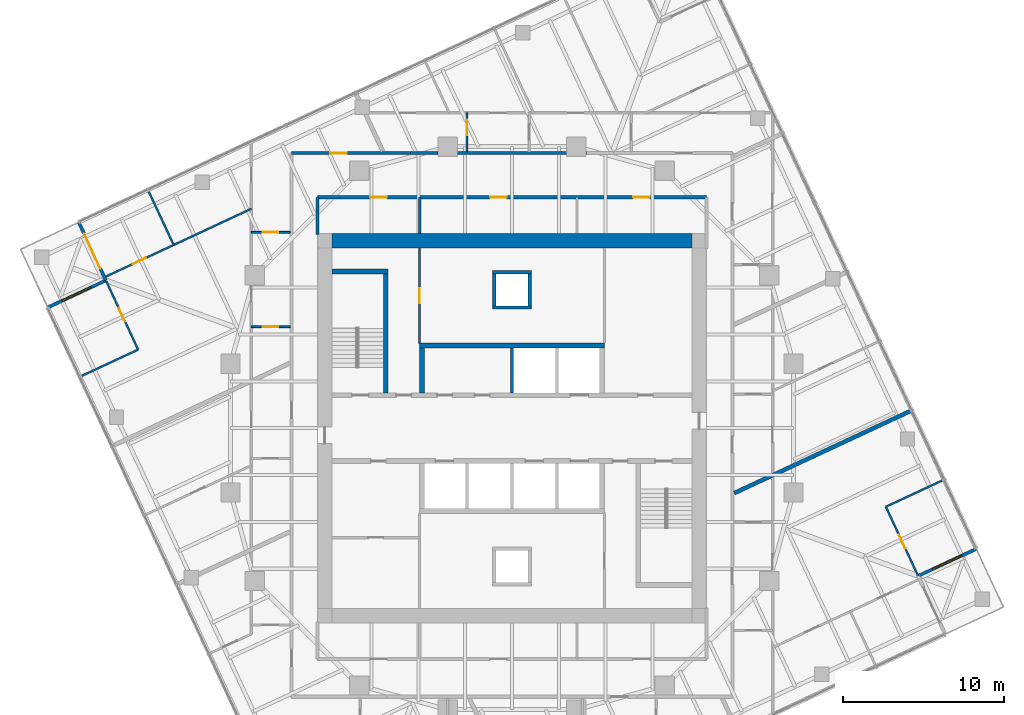
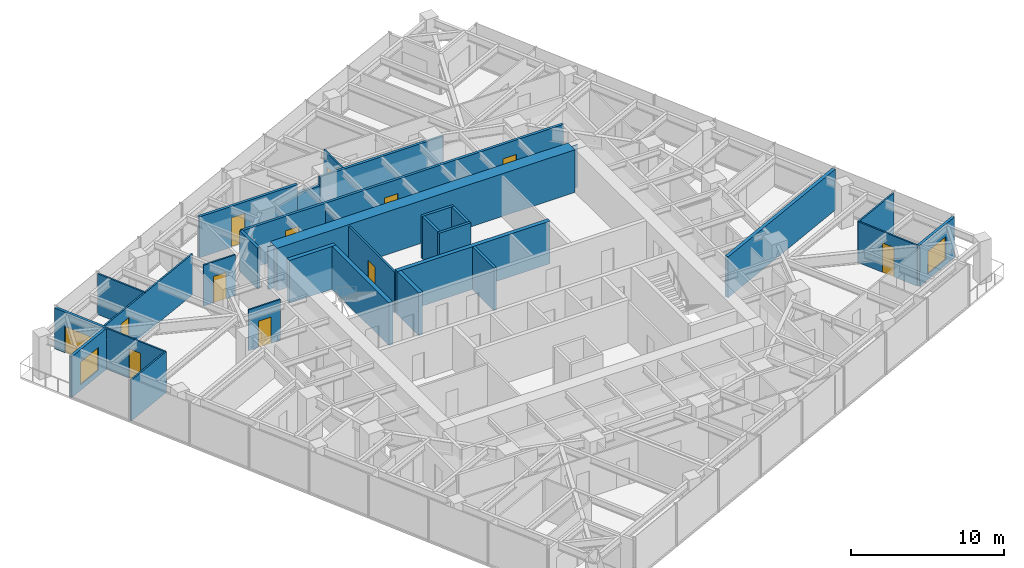
# One storey, part 10 of 12: 30 walls, 12 doors, 2 windows, 14 openings.
"""IFC4 building model written with IfcOpenShell, lengths in metres."""

from ifc_helpers import new_model, si_unit, direction, frame, frame_2d, origin, place, context, subcontext, project, spatial, polyline, rectangle, outline, extrude, material, layer, layer_set, type_object, element, fill, save


model = new_model("IFC4")

# Units and contexts
model_context = context("Model", 3, precision=1e-05, world=origin(), true_north=direction((0.0, 1.0)))
body_context = subcontext(model_context, "Body", "Model", "MODEL_VIEW")
ifc_project = project(units=[si_unit("LENGTHUNIT", "METRE"), si_unit("AREAUNIT", "SQUARE_METRE"), si_unit("VOLUMEUNIT", "CUBIC_METRE"), si_unit("PLANEANGLEUNIT", "RADIAN"), si_unit("MASSUNIT", "GRAM", prefix="KILO")], contexts=[model_context])

# Site, building, storey
site_placement = place(None, origin())
site = spatial("IfcSite", under=ifc_project, at=site_placement, CompositionType="ELEMENT")
building_placement = place(site_placement, origin())
building = spatial("IfcBuilding", under=site, at=building_placement, Name="Torsade Residences", CompositionType="ELEMENT")
storey_placement = place(building_placement, frame((0.0, 0.0, 186.199951171875)))
storey = spatial("IfcBuildingStorey", under=building, at=storey_placement, Name="L51", CompositionType="ELEMENT", Elevation=186.199951171875)

# Walls
ifc_material_1 = material(Name="Concrete 80 MPa", Category="concrete")
ifc_layer_1 = layer(ifc_material_1, 0.300048828125)
ifc_layer_set_1 = layer_set([ifc_layer_1], Name="Concrete 80 MPa")
wall_type_1 = type_object("IfcWallType", Name="CORE INTERNAL WALL 300", PredefinedType="SHEAR", material=ifc_layer_set_1)
wall_1_placement = place(storey_placement, frame((34.25, 35.14990234375, 0.0), z_axis=(0.0, 0.0, 1.0), x_axis=(1.0, 0.0, 0.0)))
element("IfcWall", 1, at=wall_1_placement, inside=storey, type_object=wall_type_1, Name="Core wall BN L51", PredefinedType="SHEAR", context=body_context, shape_type="SweptSolid", body=[
    extrude(rectangle(XDim=11.5, YDim=0.300048828125, at=frame_2d((5.75, 0.0))), origin(), (0.0, 0.0, 1.0), 3.400146484375),
])
wall_2_placement = place(storey_placement, frame((34.39990234375, 32.199951171875, 0.0), z_axis=(0.0, 0.0, 1.0), x_axis=(0.0, 1.0, 0.0)))
element("IfcWall", 2, at=wall_2_placement, inside=storey, type_object=wall_type_1, Name="Core wall DN0 L51", PredefinedType="SHEAR", context=body_context, shape_type="SweptSolid", body=[
    extrude(rectangle(XDim=2.800048828125, YDim=0.300048828125, at=frame_2d((1.39990234375, 0.0))), origin(), (0.0, 0.0, 1.0), 3.400146484375),
])
wall_3_placement = place(storey_placement, frame((32.14990234375, 32.199951171875, 0.0), z_axis=(0.0, 0.0, 1.0), x_axis=(0.0, 1.0, 0.0)))
element("IfcWall", 3, at=wall_3_placement, inside=storey, type_object=wall_type_1, Name="Core wall ST1E L51", PredefinedType="SHEAR", context=body_context, shape_type="SweptSolid", body=[
    extrude(rectangle(XDim=7.699951171875, YDim=0.300048828125, at=frame_2d((3.85009765625, 0.0))), origin(), (0.0, 0.0, 1.0), 3.400146484375),
])
wall_4_placement = place(storey_placement, frame((28.800048828125, 39.75, 0.0), z_axis=(0.0, 0.0, 1.0), x_axis=(1.0, 0.0, 0.0)))
element("IfcWall", 4, at=wall_4_placement, inside=storey, type_object=wall_type_1, Name="Core wall ST1N L51", PredefinedType="SHEAR", context=body_context, shape_type="SweptSolid", body=[
    extrude(rectangle(XDim=3.5, YDim=0.300048828125, at=frame_2d((1.75, 0.0))), origin(), (0.0, 0.0, 1.0), 3.400146484375),
])
ifc_material_2 = material(Name="Concrete 80 MPa", Category="concrete")
ifc_layer_2 = layer(ifc_material_2, 0.89990234375)
ifc_layer_set_2 = layer_set([ifc_layer_2], Name="Concrete 80 MPa")
wall_type_2 = type_object("IfcWallType", Name="CORE WALL 900", PredefinedType="SHEAR", material=ifc_layer_set_2)
wall_5_placement = place(storey_placement, frame((28.800048828125, 41.64990234375, 0.0), z_axis=(0.0, 0.0, 1.0), x_axis=(1.0, 0.0, 0.0)))
element("IfcWall", 5, at=wall_5_placement, inside=storey, type_object=wall_type_2, Name="Core wall N L51", PredefinedType="SHEAR", context=body_context, shape_type="SweptSolid", body=[
    extrude(outline(polyline([(0.0, -0.449951171875), (22.39990234375, -0.449951171875), (22.39990234375, -0.02490234375), (22.849853515625, -0.02490234375), (22.849853515625, 0.02490234375), (22.39990234375, 0.02490234375), (22.39990234375, 0.449951171875), (0.0, 0.449951171875), (0.0, 0.02490234375), (-0.449951171875, 0.02490234375), (-0.449951171875, -0.02490234375), (0.0, -0.02490234375), (0.0, -0.449951171875)])), origin(), (0.0, 0.0, 1.0), 3.400146484375),
])
ifc_material_3 = material(Name="Plasterboard on steel stud", Category="steel")
ifc_layer_3 = layer(ifc_material_3, 0.199951171875)
ifc_layer_set_3 = layer_set([ifc_layer_3], Name="Plasterboard on steel stud")
wall_type_3 = type_object("IfcWallType", Name="CORRIDOR WALL 200", PredefinedType="PARTITIONING", material=ifc_layer_set_3)
wall_6_placement = place(storey_placement, frame((44.625, 47.10009765625, 0.0), z_axis=(0.0, 0.0, 1.0), x_axis=(-1.0, 0.0, 0.0)))
element("IfcWall", 6, at=wall_6_placement, inside=storey, type_object=wall_type_3, Name="Corridor wall L51", PredefinedType="PARTITIONING", context=body_context, shape_type="SweptSolid", body=[
    extrude(rectangle(XDim=9.25, YDim=0.199951171875, at=frame_2d((4.625, 0.0))), origin(), (0.0, 0.0, 1.0), 3.25),
])
wall_7_placement = place(storey_placement, frame((35.375, 47.10009765625, 0.0), z_axis=(0.0, 0.0, 1.0), x_axis=(-1.0, 0.0, 0.0)))
element("IfcWall", 7, at=wall_7_placement, inside=storey, type_object=wall_type_3, Name="Corridor wall L51", PredefinedType="PARTITIONING", context=body_context, shape_type="SweptSolid", body=[
    extrude(rectangle(XDim=1.683349609375, YDim=0.199951171875, at=frame_2d((0.841796875, 0.0))), origin(), (0.0, 0.0, 1.0), 2.550048828125),
])

# Wall, opening, door
wall_8_placement = place(storey_placement, frame((33.691650390625, 47.10009765625, 0.0), z_axis=(0.0, 0.0, 1.0), x_axis=(-1.0, 0.0, 0.0)))
wall_8 = element("IfcWall", 8, at=wall_8_placement, inside=storey, type_object=wall_type_3, Name="Corridor wall L51", PredefinedType="PARTITIONING", context=body_context, shape_type="SweptSolid", body=[
    extrude(rectangle(XDim=7.3916015625, YDim=0.199951171875, at=frame_2d((3.69580078125, 0.0))), origin(), (0.0, 0.0, 1.0), 3.25),
])
opening_1_placement = place(wall_8_placement, frame((3.957275390625, 0.0, 0.0)))
opening_1 = element("IfcOpeningElement", 9, at=opening_1_placement, cuts=wall_8, Name="Opening D01", PredefinedType="OPENING", context=body_context, shape_type="SweptSolid", body=[
    extrude(rectangle(XDim=1.02001953125, YDim=2.340087890625, at=frame_2d((0.510009765625, 1.169921875))), frame((0.0, 0.10986328125, 0.0), z_axis=(0.0, -1.0, 0.0), x_axis=(1.0, 0.0, 0.0)), (0.0, 0.0, 1.0), 0.219970703125),
])
ifc_material_4 = material(Name="Solid-core timber fire door", Category="wood")
door_type_1 = type_object("IfcDoorType", Name="APARTMENT ENTRY DOOR 1020x2340", OperationType="NOTDEFINED", PredefinedType="DOOR", material=ifc_material_4)
door_1_placement = place(opening_1_placement, origin())
door_1 = element("IfcDoor", 10, at=door_1_placement, inside=storey, type_object=door_type_1, Name="Door Residential corridor to Kitchen and dining", OperationType="SINGLE_SWING_RIGHT", OverallHeight=2.340087890625, OverallWidth=1.02001953125, PredefinedType="DOOR", context=body_context, shape_type="SweptSolid", body=[
    extrude(rectangle(XDim=1.02001953125, YDim=2.340087890625, at=frame_2d((0.510009765625, 1.169921875))), frame((0.0, 0.02490234375, 0.0), z_axis=(0.0, -1.0, 0.0), x_axis=(1.0, 0.0, 0.0)), (0.0, 0.0, 1.0), 0.050048828125),
])
fill(opening_1, door_1)

# Wall, openings, doors
wall_9_placement = place(storey_placement, frame((52.10009765625, 44.35009765625, 0.0), z_axis=(0.0, 0.0, 1.0), x_axis=(-1.0, 0.0, 0.0)))
wall_9 = element("IfcWall", 11, at=wall_9_placement, inside=storey, type_object=wall_type_3, Name="Corridor wall L51", PredefinedType="PARTITIONING", context=body_context, shape_type="SweptSolid", body=[
    extrude(rectangle(XDim=24.2001953125, YDim=0.199951171875, at=frame_2d((12.10009765625, 0.0))), origin(), (0.0, 0.0, 1.0), 3.25),
])
opening_2_placement = place(wall_9_placement, frame((12.43701171875, 0.0, 0.0)))
opening_2 = element("IfcOpeningElement", 12, at=opening_2_placement, cuts=wall_9, Name="Opening D03", PredefinedType="OPENING", context=body_context, shape_type="SweptSolid", body=[
    extrude(rectangle(XDim=1.02001953125, YDim=2.10009765625, at=frame_2d((0.510009765625, 1.050048828125))), frame((0.0, 0.10986328125, 0.0), z_axis=(0.0, -1.0, 0.0), x_axis=(1.0, 0.0, 0.0)), (0.0, 0.0, 1.0), 0.219970703125),
])
opening_3_placement = place(wall_9_placement, frame((3.544189453125, 0.0, 0.0)))
opening_3 = element("IfcOpeningElement", 13, at=opening_3_placement, cuts=wall_9, Name="Opening D03", PredefinedType="OPENING", context=body_context, shape_type="SweptSolid", body=[
    extrude(rectangle(XDim=1.02001953125, YDim=2.10009765625, at=frame_2d((0.510009765625, 1.050048828125))), frame((0.0, 0.10986328125, 0.0), z_axis=(0.0, -1.0, 0.0), x_axis=(1.0, 0.0, 0.0)), (0.0, 0.0, 1.0), 0.219970703125),
])
opening_4_placement = place(wall_9_placement, frame((19.8828125, 0.0, 0.0)))
opening_4 = element("IfcOpeningElement", 14, at=opening_4_placement, cuts=wall_9, Name="Opening D03", PredefinedType="OPENING", context=body_context, shape_type="SweptSolid", body=[
    extrude(rectangle(XDim=1.02001953125, YDim=2.10009765625, at=frame_2d((0.510009765625, 1.050048828125))), frame((0.0, 0.10986328125, 0.0), z_axis=(0.0, -1.0, 0.0), x_axis=(1.0, 0.0, 0.0)), (0.0, 0.0, 1.0), 0.219970703125),
])
ifc_material_5 = material(Name="Steel-framed fire door", Category="steel")
door_type_2 = type_object("IfcDoorType", Name="FIRE DOOR 1020", OperationType="NOTDEFINED", PredefinedType="DOOR", material=ifc_material_5)
door_2_placement = place(opening_2_placement, origin())
door_2 = element("IfcDoor", 15, at=door_2_placement, inside=storey, type_object=door_type_2, Name="Door Residential corridor to Cleaner store", OperationType="SINGLE_SWING_LEFT", OverallHeight=2.10009765625, OverallWidth=1.02001953125, PredefinedType="DOOR", context=body_context, shape_type="SweptSolid", body=[
    extrude(rectangle(XDim=1.02001953125, YDim=2.10009765625, at=frame_2d((0.510009765625, 1.050048828125))), frame((0.0, 0.02490234375, 0.0), z_axis=(0.0, -1.0, 0.0), x_axis=(1.0, 0.0, 0.0)), (0.0, 0.0, 1.0), 0.050048828125),
])
fill(opening_2, door_2)
door_3_placement = place(opening_3_placement, origin())
door_3 = element("IfcDoor", 16, at=door_3_placement, inside=storey, type_object=door_type_2, Name="Door Residential corridor to Parcel room", OperationType="SINGLE_SWING_LEFT", OverallHeight=2.10009765625, OverallWidth=1.02001953125, PredefinedType="DOOR", context=body_context, shape_type="SweptSolid", body=[
    extrude(rectangle(XDim=1.02001953125, YDim=2.10009765625, at=frame_2d((0.510009765625, 1.050048828125))), frame((0.0, 0.02490234375, 0.0), z_axis=(0.0, -1.0, 0.0), x_axis=(1.0, 0.0, 0.0)), (0.0, 0.0, 1.0), 0.050048828125),
])
fill(opening_3, door_3)
door_4_placement = place(opening_4_placement, origin())
door_4 = element("IfcDoor", 17, at=door_4_placement, inside=storey, type_object=door_type_2, Name="Door Residential corridor to Residents storage", OperationType="SINGLE_SWING_LEFT", OverallHeight=2.10009765625, OverallWidth=1.02001953125, PredefinedType="DOOR", context=body_context, shape_type="SweptSolid", body=[
    extrude(rectangle(XDim=1.02001953125, YDim=2.10009765625, at=frame_2d((0.510009765625, 1.050048828125))), frame((0.0, 0.02490234375, 0.0), z_axis=(0.0, -1.0, 0.0), x_axis=(1.0, 0.0, 0.0)), (0.0, 0.0, 1.0), 0.050048828125),
])
fill(opening_4, door_4)

# Walls
wall_10_placement = place(storey_placement, frame((27.89990234375, 44.35009765625, 0.0), z_axis=(0.0, 0.0, 1.0), x_axis=(0.0, -1.0, 0.0)))
element("IfcWall", 18, at=wall_10_placement, inside=storey, type_object=wall_type_3, Name="Corridor wall L51", PredefinedType="PARTITIONING", context=body_context, shape_type="SweptSolid", body=[
    extrude(rectangle(XDim=2.300048828125, YDim=0.199951171875, at=frame_2d((1.14990234375, 0.0))), origin(), (0.0, 0.0, 1.0), 3.25),
])
ifc_material_6 = material(Name="Reinforced blockwork", Category="masonry")
ifc_layer_4 = layer(ifc_material_6, 0.199951171875)
ifc_layer_set_4 = layer_set([ifc_layer_4], Name="Reinforced blockwork")
wall_type_4 = type_object("IfcWallType", Name="LIFT SHAFT DIVIDING WALL 200", PredefinedType="SOLIDWALL", material=ifc_layer_set_4)
wall_11_placement = place(storey_placement, frame((40.0, 32.199951171875, 0.0), z_axis=(0.0, 0.0, 1.0), x_axis=(0.0, 1.0, 0.0)))
element("IfcWall", 19, at=wall_11_placement, inside=storey, type_object=wall_type_4, Name="Core wall DN2 L51", PredefinedType="SOLIDWALL", context=body_context, shape_type="SweptSolid", body=[
    extrude(rectangle(XDim=2.800048828125, YDim=0.199951171875, at=frame_2d((1.39990234375, 0.0))), origin(), (0.0, 0.0, 1.0), 3.400146484375),
])
ifc_material_7 = material(Name="Plasterboard on steel stud", Category="steel")
ifc_layer_5 = layer(ifc_material_7, 0.1201171875)
ifc_layer_set_5 = layer_set([ifc_layer_5], Name="Plasterboard on steel stud")
wall_type_5 = type_object("IfcWallType", Name="PARTITION 120", PredefinedType="PARTITIONING", material=ifc_layer_set_5)
wall_12_placement = place(storey_placement, frame((66.8310546875, 26.78857421875, 0.0), z_axis=(0.0, 0.0, 1.0), x_axis=(-0.906277619727, -0.422682949718, 0.0)))
element("IfcWall", 20, at=wall_12_placement, inside=storey, type_object=wall_type_5, Name="Partition L51", PredefinedType="PARTITIONING", context=body_context, shape_type="SweptSolid", body=[
    extrude(rectangle(XDim=3.9599609375, YDim=0.1201171875, at=frame_2d((1.97998046875, 0.0))), origin(), (0.0, 0.0, 1.0), 3.25),
])

# Wall, opening, door
wall_13_placement = place(storey_placement, frame((63.2421875, 25.11474609375, 0.0), z_axis=(0.0, 0.0, 1.0), x_axis=(0.422621536194, -0.906306260127, 0.0)))
wall_13 = element("IfcWall", 21, at=wall_13_placement, inside=storey, type_object=wall_type_5, Name="Partition L51", PredefinedType="PARTITIONING", context=body_context, shape_type="SweptSolid", body=[
    extrude(rectangle(XDim=4.709716796875, YDim=0.1201171875, at=frame_2d((2.35498046875, 0.0))), origin(), (0.0, 0.0, 1.0), 3.25),
])
opening_5_placement = place(wall_13_placement, frame((1.93994140625, 0.0, 0.0)))
opening_5 = element("IfcOpeningElement", 22, at=opening_5_placement, cuts=wall_13, Name="Opening D02", PredefinedType="OPENING", context=body_context, shape_type="SweptSolid", body=[
    extrude(rectangle(XDim=0.919921875, YDim=2.340087890625, at=frame_2d((0.4599609375, 1.169921875))), frame((0.0, 0.070068359375, 0.0), z_axis=(0.0, -1.0, 0.0), x_axis=(1.0, 0.0, 0.0)), (0.0, 0.0, 1.0), 0.14013671875),
])
ifc_material_8 = material(Name="Hollow-core timber door", Category="wood")
door_type_3 = type_object("IfcDoorType", Name="INTERNAL DOOR 920x2340", OperationType="NOTDEFINED", PredefinedType="DOOR", material=ifc_material_8)
door_5_placement = place(opening_5_placement, origin())
door_5 = element("IfcDoor", 23, at=door_5_placement, inside=storey, type_object=door_type_3, Name="Door Living room to Study", OperationType="SINGLE_SWING_LEFT", OverallHeight=2.340087890625, OverallWidth=0.919921875, PredefinedType="DOOR", context=body_context, shape_type="SweptSolid", body=[
    extrude(rectangle(XDim=0.919921875, YDim=2.340087890625, at=frame_2d((0.4599609375, 1.169921875))), frame((0.0, 0.02490234375, 0.0), z_axis=(0.0, -1.0, 0.0), x_axis=(1.0, 0.0, 0.0)), (0.0, 0.0, 1.0), 0.050048828125),
])
fill(opening_5, door_5)

wall_14_placement = place(storey_placement, frame((37.20361328125, 49.60009765625, 0.0), z_axis=(0.0, 0.0, 1.0), x_axis=(0.0, -1.0, 0.0)))
wall_14 = element("IfcWall", 24, at=wall_14_placement, inside=storey, type_object=wall_type_5, Name="Partition L51", PredefinedType="PARTITIONING", context=body_context, shape_type="SweptSolid", body=[
    extrude(rectangle(XDim=2.400146484375, YDim=0.1201171875, at=frame_2d((1.2001953125, 0.0))), origin(), (0.0, 0.0, 1.0), 3.25),
])
opening_6_placement = place(wall_14_placement, frame((0.419921875, 0.0, 0.0)))
opening_6 = element("IfcOpeningElement", 25, at=opening_6_placement, cuts=wall_14, Name="Opening D05", PredefinedType="OPENING", context=body_context, shape_type="SweptSolid", body=[
    extrude(rectangle(XDim=0.9599609375, YDim=2.10009765625, at=frame_2d((0.47998046875, 1.050048828125))), frame((0.0, 0.070068359375, 0.0), z_axis=(0.0, -1.0, 0.0), x_axis=(1.0, 0.0, 0.0)), (0.0, 0.0, 1.0), 0.14013671875),
])
ifc_material_9 = material(Name="Hollow-core timber door in a steel cavity frame", Category="steel")
door_type_4 = type_object("IfcDoorType", Name="BATHROOM CAVITY SLIDING DOOR 960", OperationType="SLIDING_TO_LEFT", PredefinedType="DOOR", material=ifc_material_9)
door_6_placement = place(opening_6_placement, origin())
door_6 = element("IfcDoor", 26, at=door_6_placement, inside=storey, type_object=door_type_4, Name="Door Laundry to Ensuite", OperationType="SLIDING_TO_LEFT", OverallHeight=2.10009765625, OverallWidth=0.9599609375, PredefinedType="DOOR", context=body_context, shape_type="SweptSolid", body=[
    extrude(rectangle(XDim=0.9599609375, YDim=2.10009765625, at=frame_2d((0.47998046875, 1.050048828125))), frame((0.0, 0.02490234375, 0.0), z_axis=(0.0, -1.0, 0.0), x_axis=(1.0, 0.0, 0.0)), (0.0, 0.0, 1.0), 0.050048828125),
])
fill(opening_6, door_6)

wall_15_placement = place(storey_placement, frame((26.199951171875, 42.172119140625, 0.0), z_axis=(0.0, 0.0, 1.0), x_axis=(-1.0, 0.0, 0.0)))
wall_15 = element("IfcWall", 27, at=wall_15_placement, inside=storey, type_object=wall_type_5, Name="Partition L51", PredefinedType="PARTITIONING", context=body_context, shape_type="SweptSolid", body=[
    extrude(rectangle(XDim=2.39990234375, YDim=0.1201171875, at=frame_2d((1.199951171875, 0.0))), origin(), (0.0, 0.0, 1.0), 3.25),
])
opening_7_placement = place(wall_15_placement, frame((0.719970703125, 0.0, 0.0)))
opening_7 = element("IfcOpeningElement", 28, at=opening_7_placement, cuts=wall_15, Name="Opening D05", PredefinedType="OPENING", context=body_context, shape_type="SweptSolid", body=[
    extrude(rectangle(XDim=0.9599609375, YDim=2.10009765625, at=frame_2d((0.47998046875, 1.050048828125))), frame((0.0, 0.070068359375, 0.0), z_axis=(0.0, -1.0, 0.0), x_axis=(1.0, 0.0, 0.0)), (0.0, 0.0, 1.0), 0.14013671875),
])
door_7_placement = place(opening_7_placement, origin())
door_7 = element("IfcDoor", 29, at=door_7_placement, inside=storey, type_object=door_type_4, Name="Door Kitchen and dining to Bathroom", OperationType="SLIDING_TO_LEFT", OverallHeight=2.10009765625, OverallWidth=0.9599609375, PredefinedType="DOOR", context=body_context, shape_type="SweptSolid", body=[
    extrude(rectangle(XDim=0.9599609375, YDim=2.10009765625, at=frame_2d((0.47998046875, 1.050048828125))), frame((0.0, 0.02490234375, 0.0), z_axis=(0.0, -1.0, 0.0), x_axis=(1.0, 0.0, 0.0)), (0.0, 0.0, 1.0), 0.050048828125),
])
fill(opening_7, door_7)

wall_16_placement = place(storey_placement, frame((26.199951171875, 36.30810546875, 0.0), z_axis=(0.0, 0.0, 1.0), x_axis=(-1.0, 0.0, 0.0)))
wall_16 = element("IfcWall", 30, at=wall_16_placement, inside=storey, type_object=wall_type_5, Name="Partition L51", PredefinedType="PARTITIONING", context=body_context, shape_type="SweptSolid", body=[
    extrude(rectangle(XDim=2.39990234375, YDim=0.1201171875, at=frame_2d((1.199951171875, 0.0))), origin(), (0.0, 0.0, 1.0), 3.25),
])
opening_8_placement = place(wall_16_placement, frame((0.719970703125, 0.0, 0.0)))
opening_8 = element("IfcOpeningElement", 31, at=opening_8_placement, cuts=wall_16, Name="Opening D05", PredefinedType="OPENING", context=body_context, shape_type="SweptSolid", body=[
    extrude(rectangle(XDim=0.9599609375, YDim=2.10009765625, at=frame_2d((0.47998046875, 1.050048828125))), frame((0.0, 0.070068359375, 0.0), z_axis=(0.0, -1.0, 0.0), x_axis=(1.0, 0.0, 0.0)), (0.0, 0.0, 1.0), 0.14013671875),
])
door_8_placement = place(opening_8_placement, origin())
door_8 = element("IfcDoor", 32, at=door_8_placement, inside=storey, type_object=door_type_4, Name="Door Bathroom to Ensuite", OperationType="SLIDING_TO_LEFT", OverallHeight=2.10009765625, OverallWidth=0.9599609375, PredefinedType="DOOR", context=body_context, shape_type="SweptSolid", body=[
    extrude(rectangle(XDim=0.9599609375, YDim=2.10009765625, at=frame_2d((0.47998046875, 1.050048828125))), frame((0.0, 0.02490234375, 0.0), z_axis=(0.0, -1.0, 0.0), x_axis=(1.0, 0.0, 0.0)), (0.0, 0.0, 1.0), 0.050048828125),
])
fill(opening_8, door_8)

wall_17_placement = place(storey_placement, frame((14.69677734375, 39.39990234375, 0.0), z_axis=(0.0, 0.0, 1.0), x_axis=(0.906300466163, 0.422633961049, 0.0)))
wall_17 = element("IfcWall", 33, at=wall_17_placement, inside=storey, type_object=wall_type_5, Name="Partition L51", PredefinedType="PARTITIONING", context=body_context, shape_type="SweptSolid", body=[
    extrude(rectangle(XDim=10.04443359375, YDim=0.1201171875, at=frame_2d((5.022216796875, 0.0))), origin(), (0.0, 0.0, 1.0), 3.25),
])
opening_9_placement = place(wall_17_placement, frame((1.89990234375, 0.0, 0.0)))
opening_9 = element("IfcOpeningElement", 34, at=opening_9_placement, cuts=wall_17, Name="Opening D02", PredefinedType="OPENING", context=body_context, shape_type="SweptSolid", body=[
    extrude(rectangle(XDim=0.919921875, YDim=2.340087890625, at=frame_2d((0.4599609375, 1.169921875))), frame((0.0, 0.070068359375, 0.0), z_axis=(0.0, -1.0, 0.0), x_axis=(1.0, 0.0, 0.0)), (0.0, 0.0, 1.0), 0.14013671875),
])
door_9_placement = place(opening_9_placement, origin())
door_9 = element("IfcDoor", 35, at=door_9_placement, inside=storey, type_object=door_type_3, Name="Door Living room to Bedroom 2", OperationType="SINGLE_SWING_RIGHT", OverallHeight=2.340087890625, OverallWidth=0.919921875, PredefinedType="DOOR", context=body_context, shape_type="SweptSolid", body=[
    extrude(rectangle(XDim=0.919921875, YDim=2.340087890625, at=frame_2d((0.4599609375, 1.169921875))), frame((0.0, 0.02490234375, 0.0), z_axis=(0.0, -1.0, 0.0), x_axis=(1.0, 0.0, 0.0)), (0.0, 0.0, 1.0), 0.050048828125),
])
fill(opening_9, door_9)

# Wall
wall_18_placement = place(storey_placement, frame((13.1689453125, 33.21142578125, 0.0), z_axis=(0.0, 0.0, 1.0), x_axis=(0.906277619727, 0.422682949718, 0.0)))
element("IfcWall", 36, at=wall_18_placement, inside=storey, type_object=wall_type_5, Name="Partition L51", PredefinedType="PARTITIONING", context=body_context, shape_type="SweptSolid", body=[
    extrude(rectangle(XDim=3.9599609375, YDim=0.1201171875, at=frame_2d((1.97998046875, 0.0))), origin(), (0.0, 0.0, 1.0), 3.25),
])

# Wall, opening, door
wall_19_placement = place(storey_placement, frame((16.7578125, 34.88525390625, 0.0), z_axis=(0.0, 0.0, 1.0), x_axis=(-0.422621536194, 0.906306260127, 0.0)))
wall_19 = element("IfcWall", 37, at=wall_19_placement, inside=storey, type_object=wall_type_5, Name="Partition L51", PredefinedType="PARTITIONING", context=body_context, shape_type="SweptSolid", body=[
    extrude(rectangle(XDim=4.709716796875, YDim=0.1201171875, at=frame_2d((2.35498046875, 0.0))), origin(), (0.0, 0.0, 1.0), 3.25),
])
opening_10_placement = place(wall_19_placement, frame((1.93994140625, 0.0, 0.0)))
opening_10 = element("IfcOpeningElement", 38, at=opening_10_placement, cuts=wall_19, Name="Opening D02", PredefinedType="OPENING", context=body_context, shape_type="SweptSolid", body=[
    extrude(rectangle(XDim=0.919921875, YDim=2.340087890625, at=frame_2d((0.4599609375, 1.169921875))), frame((0.0, 0.070068359375, 0.0), z_axis=(0.0, -1.0, 0.0), x_axis=(1.0, 0.0, 0.0)), (0.0, 0.0, 1.0), 0.14013671875),
])
door_10_placement = place(opening_10_placement, origin())
door_10 = element("IfcDoor", 39, at=door_10_placement, inside=storey, type_object=door_type_3, Name="Door Living room to Study", OperationType="SINGLE_SWING_LEFT", OverallHeight=2.340087890625, OverallWidth=0.919921875, PredefinedType="DOOR", context=body_context, shape_type="SweptSolid", body=[
    extrude(rectangle(XDim=0.919921875, YDim=2.340087890625, at=frame_2d((0.4599609375, 1.169921875))), frame((0.0, 0.02490234375, 0.0), z_axis=(0.0, -1.0, 0.0), x_axis=(1.0, 0.0, 0.0)), (0.0, 0.0, 1.0), 0.050048828125),
])
fill(opening_10, door_10)

# Walls
wall_20_placement = place(storey_placement, frame((18.96533203125, 41.390625, 0.0), z_axis=(0.0, 0.0, 1.0), x_axis=(-0.422600090785, 0.906316260071, 0.0)))
element("IfcWall", 40, at=wall_20_placement, inside=storey, type_object=wall_type_5, Name="Partition L51", PredefinedType="PARTITIONING", context=body_context, shape_type="SweptSolid", body=[
    extrude(rectangle(XDim=3.7470703125, YDim=0.1201171875, at=frame_2d((1.87353515625, 0.0))), origin(), (0.0, 0.0, 1.0), 3.25),
])
ifc_material_10 = material(Name="Masonry-lined stud party wall", Category="masonry")
ifc_layer_6 = layer(ifc_material_10, 0.25)
ifc_layer_set_6 = layer_set([ifc_layer_6], Name="Masonry-lined stud party wall")
wall_type_6 = type_object("IfcWallType", Name="PARTY WALL 250", PredefinedType="PARTITIONING", material=ifc_layer_set_6)
wall_21_placement = place(storey_placement, frame((64.85986328125, 31.1103515625, 0.0), z_axis=(0.0, 0.0, 1.0), x_axis=(-0.906303906082, -0.422626584374, 0.0)))
element("IfcWall", 41, at=wall_21_placement, inside=storey, type_object=wall_type_6, Name="Party wall L51", PredefinedType="PARTITIONING", context=body_context, shape_type="SweptSolid", body=[
    extrude(rectangle(XDim=12.184814453125, YDim=0.25, at=frame_2d((6.09228515625, 0.0))), origin(), (0.0, 0.0, 1.0), 3.25),
])
ifc_material_11 = material(Name="Reinforced blockwork", Category="masonry")
ifc_layer_7 = layer(ifc_material_11, 0.199951171875)
ifc_layer_set_7 = layer_set([ifc_layer_7], Name="Reinforced blockwork")
wall_type_7 = type_object("IfcWallType", Name="RISER SHAFT WALL 200", PredefinedType="SOLIDWALL", material=ifc_layer_set_7)
for number, where, z_axis, x_axis, name in (
    (42, (38.89990234375, 37.60009765625, 0.0), (0.0, 0.0, 1.0), (0.0, 1.0, 0.0), "Core wall RS1a L51"),
    (43, (41.10009765625, 37.60009765625, 0.0), (0.0, 0.0, 1.0), (0.0, 1.0, 0.0), "Core wall RS1b L51"),
):
    element("IfcWall", number, at=place(storey_placement, frame(where, z_axis=z_axis, x_axis=x_axis)), inside=storey, type_object=wall_type_7, Name=name, PredefinedType="SOLIDWALL", context=body_context, shape_type="SweptSolid", body=[
        extrude(rectangle(XDim=2.0, YDim=0.199951171875, at=frame_2d((1.0, 0.0))), origin(), (0.0, 0.0, 1.0), 3.400146484375),
    ])
for number, where, z_axis, x_axis, name in (
    (44, (38.800048828125, 37.5, 0.0), (0.0, 0.0, 1.0), (1.0, 0.0, 0.0), "Core wall RS1c L51"),
    (45, (38.800048828125, 39.699951171875, 0.0), (0.0, 0.0, 1.0), (1.0, 0.0, 0.0), "Core wall RS1d L51"),
):
    element("IfcWall", number, at=place(storey_placement, frame(where, z_axis=z_axis, x_axis=x_axis)), inside=storey, type_object=wall_type_7, Name=name, PredefinedType="SOLIDWALL", context=body_context, shape_type="SweptSolid", body=[
        extrude(rectangle(XDim=2.39990234375, YDim=0.199951171875, at=frame_2d((1.199951171875, 0.0))), origin(), (0.0, 0.0, 1.0), 3.400146484375),
    ])

# Wall, opening, door
ifc_material_12 = material(Name="Reinforced blockwork", Category="masonry")
ifc_layer_8 = layer(ifc_material_12, 0.14990234375)
ifc_layer_set_8 = layer_set([ifc_layer_8], Name="Reinforced blockwork")
wall_type_8 = type_object("IfcWallType", Name="SERVICE ROOM WALL 150", PredefinedType="SOLIDWALL", material=ifc_layer_set_8)
wall_22_placement = place(storey_placement, frame((34.25, 41.199951171875, 0.0), z_axis=(0.0, 0.0, 1.0), x_axis=(0.0, -1.0, 0.0)))
wall_22 = element("IfcWall", 46, at=wall_22_placement, inside=storey, type_object=wall_type_8, Name="Service room wall L51", PredefinedType="SOLIDWALL", context=body_context, shape_type="SweptSolid", body=[
    extrude(rectangle(XDim=5.949951171875, YDim=0.14990234375, at=frame_2d((2.97509765625, 0.0))), origin(), (0.0, 0.0, 1.0), 3.25),
])
opening_11_placement = place(wall_22_placement, frame((2.514892578125, 0.0, 0.0)))
opening_11 = element("IfcOpeningElement", 47, at=opening_11_placement, cuts=wall_22, Name="Opening D06", PredefinedType="OPENING", context=body_context, shape_type="SweptSolid", body=[
    extrude(rectangle(XDim=0.919921875, YDim=2.10009765625, at=frame_2d((0.4599609375, 1.050048828125))), frame((0.0, 0.0849609375, 0.0), z_axis=(0.0, -1.0, 0.0), x_axis=(1.0, 0.0, 0.0)), (0.0, 0.0, 1.0), 0.169921875),
])
ifc_material_13 = material(Name="Steel-framed fire door", Category="steel")
door_type_5 = type_object("IfcDoorType", Name="FIRE DOOR 920", OperationType="NOTDEFINED", PredefinedType="DOOR", material=ifc_material_13)
door_11_placement = place(opening_11_placement, origin())
door_11 = element("IfcDoor", 48, at=door_11_placement, inside=storey, type_object=door_type_5, Name="Door Main switchboard store to Electrical riser room", OperationType="SINGLE_SWING_RIGHT", OverallHeight=2.10009765625, OverallWidth=0.919921875, PredefinedType="DOOR", context=body_context, shape_type="SweptSolid", body=[
    extrude(rectangle(XDim=0.919921875, YDim=2.10009765625, at=frame_2d((0.4599609375, 1.050048828125))), frame((0.0, 0.02490234375, 0.0), z_axis=(0.0, -1.0, 0.0), x_axis=(1.0, 0.0, 0.0)), (0.0, 0.0, 1.0), 0.050048828125),
])
fill(opening_11, door_11)

# Wall
wall_23_placement = place(storey_placement, frame((34.2646484375, 42.10009765625, 0.0), z_axis=(0.0, 0.0, 1.0), x_axis=(0.0, 1.0, 0.0)))
element("IfcWall", 49, at=wall_23_placement, inside=storey, type_object=wall_type_8, Name="Service room wall L51", PredefinedType="SOLIDWALL", context=body_context, shape_type="SweptSolid", body=[
    extrude(rectangle(XDim=2.25, YDim=0.14990234375, at=frame_2d((1.125, 0.0))), origin(), (0.0, 0.0, 1.0), 2.796142578125),
])

# Wall, opening, window
ifc_material_14 = material(Name="Stone-faced precast concrete 40 MPa panel", Category="masonry")
ifc_layer_9 = layer(ifc_material_14, 0.199951171875)
ifc_layer_set_9 = layer_set([ifc_layer_9], Name="Stone-faced precast concrete 40 MPa panel")
wall_type_9 = type_object("IfcWallType", Name="TERRACE WALL 200", PredefinedType="SOLIDWALL", material=ifc_layer_set_9)
wall_24_placement = place(storey_placement, frame((65.24951171875, 20.809814453125, 0.0), z_axis=(0.0, 0.0, 1.0), x_axis=(0.906289140828, 0.422658246362, 0.0)))
wall_24 = element("IfcWall", 50, at=wall_24_placement, inside=storey, type_object=wall_type_9, Name="Terrace wall L51 3", PredefinedType="SOLIDWALL", context=body_context, shape_type="SweptSolid", body=[
    extrude(rectangle(XDim=4.0, YDim=0.199951171875, at=frame_2d((2.0, 0.0))), origin(), (0.0, 0.0, 1.0), 3.25),
])
opening_12_placement = place(wall_24_placement, frame((1.0, 0.0, 0.449951171875)))
opening_12 = element("IfcOpeningElement", 51, at=opening_12_placement, cuts=wall_24, Name="Opening W1B", PredefinedType="OPENING", context=body_context, shape_type="SweptSolid", body=[
    extrude(rectangle(XDim=2.0, YDim=1.800048828125, at=frame_2d((1.0, 0.89990234375))), frame((0.0, 0.10986328125, 0.0), z_axis=(0.0, -1.0, 0.0), x_axis=(1.0, 0.0, 0.0)), (0.0, 0.0, 1.0), 0.219970703125),
])
ifc_material_15 = material(Name="Aluminium-framed glass window", Category="aluminium")
window_type = type_object("IfcWindowType", Name="TERRACE WINDOW 2000x1800", PartitioningType="SINGLE_PANEL", PredefinedType="WINDOW", material=ifc_material_15)
window_1_placement = place(opening_12_placement, origin())
window_1 = element("IfcWindow", 52, at=window_1_placement, inside=storey, type_object=window_type, Name="Terrace window L51 3", OverallHeight=1.800048828125, OverallWidth=2.0, PartitioningType="SINGLE_PANEL", PredefinedType="WINDOW", context=body_context, shape_type="SweptSolid", body=[
    extrude(rectangle(XDim=2.0, YDim=1.800048828125, at=frame_2d((1.0, 0.89990234375))), frame((0.0, 0.030029296875, 0.0), z_axis=(0.0, -1.0, 0.0), x_axis=(1.0, 0.0, 0.0)), (0.0, 0.0, 1.0), 0.06005859375),
])
fill(opening_12, window_1)

# Wall, opening, door
wall_25_placement = place(storey_placement, frame((13.059814453125, 42.8154296875, 0.0), z_axis=(0.0, 0.0, 1.0), x_axis=(0.422658246362, -0.906289140828, 0.0)))
wall_25 = element("IfcWall", 53, at=wall_25_placement, inside=storey, type_object=wall_type_9, Name="Terrace wall L51 8", PredefinedType="SOLIDWALL", context=body_context, shape_type="SweptSolid", body=[
    extrude(rectangle(XDim=4.0, YDim=0.199951171875, at=frame_2d((2.0, 0.0))), origin(), (0.0, 0.0, 1.0), 3.25),
])
opening_13_placement = place(wall_25_placement, frame((0.800048828125, 0.0, 0.0)))
opening_13 = element("IfcOpeningElement", 54, at=opening_13_placement, cuts=wall_25, Name="Opening D10A", PredefinedType="OPENING", context=body_context, shape_type="SweptSolid", body=[
    extrude(rectangle(XDim=2.39990234375, YDim=2.10009765625, at=frame_2d((1.199951171875, 1.050048828125))), frame((0.0, 0.10986328125, 0.0), z_axis=(0.0, -1.0, 0.0), x_axis=(1.0, 0.0, 0.0)), (0.0, 0.0, 1.0), 0.219970703125),
])
ifc_material_16 = material(Name="Aluminium-framed glass door", Category="aluminium")
door_type_6 = type_object("IfcDoorType", Name="TERRACE SLIDING DOOR 2400x2100", OperationType="SLIDING_TO_LEFT", PredefinedType="DOOR", material=ifc_material_16)
door_12_placement = place(opening_13_placement, origin())
door_12 = element("IfcDoor", 55, at=door_12_placement, inside=storey, type_object=door_type_6, Name="Terrace door L51 8", OperationType="SLIDING_TO_LEFT", OverallHeight=2.10009765625, OverallWidth=2.39990234375, PredefinedType="DOOR", context=body_context, shape_type="SweptSolid", body=[
    extrude(rectangle(XDim=2.39990234375, YDim=2.10009765625, at=frame_2d((1.199951171875, 1.050048828125))), frame((0.0, 0.02490234375, 0.0), z_axis=(0.0, -1.0, 0.0), x_axis=(1.0, 0.0, 0.0)), (0.0, 0.0, 1.0), 0.050048828125),
])
fill(opening_13, door_12)

# Wall, opening, window
wall_26_placement = place(storey_placement, frame((14.75048828125, 39.190185546875, 0.0), z_axis=(0.0, 0.0, 1.0), x_axis=(-0.906289140828, -0.422658246362, 0.0)))
wall_26 = element("IfcWall", 56, at=wall_26_placement, inside=storey, type_object=wall_type_9, Name="Terrace wall L51 9", PredefinedType="SOLIDWALL", context=body_context, shape_type="SweptSolid", body=[
    extrude(rectangle(XDim=4.0, YDim=0.199951171875, at=frame_2d((2.0, 0.0))), origin(), (0.0, 0.0, 1.0), 3.25),
])
opening_14_placement = place(wall_26_placement, frame((1.0, 0.0, 0.449951171875)))
opening_14 = element("IfcOpeningElement", 57, at=opening_14_placement, cuts=wall_26, Name="Opening W1B", PredefinedType="OPENING", context=body_context, shape_type="SweptSolid", body=[
    extrude(rectangle(XDim=2.0, YDim=1.800048828125, at=frame_2d((1.0, 0.89990234375))), frame((0.0, 0.10986328125, 0.0), z_axis=(0.0, -1.0, 0.0), x_axis=(1.0, 0.0, 0.0)), (0.0, 0.0, 1.0), 0.219970703125),
])
window_2_placement = place(opening_14_placement, origin())
window_2 = element("IfcWindow", 58, at=window_2_placement, inside=storey, type_object=window_type, Name="Terrace window L51 9", OverallHeight=1.800048828125, OverallWidth=2.0, PartitioningType="SINGLE_PANEL", PredefinedType="WINDOW", context=body_context, shape_type="SweptSolid", body=[
    extrude(rectangle(XDim=2.0, YDim=1.800048828125, at=frame_2d((1.0, 0.89990234375))), frame((0.0, 0.030029296875, 0.0), z_axis=(0.0, -1.0, 0.0), x_axis=(1.0, 0.0, 0.0)), (0.0, 0.0, 1.0), 0.06005859375),
])
fill(opening_14, window_2)

save(model, "model.ifc")
